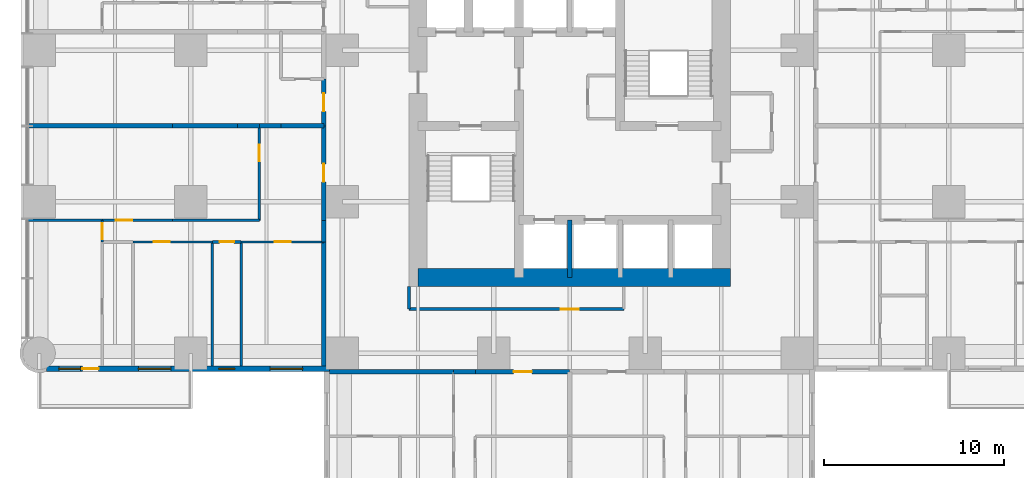
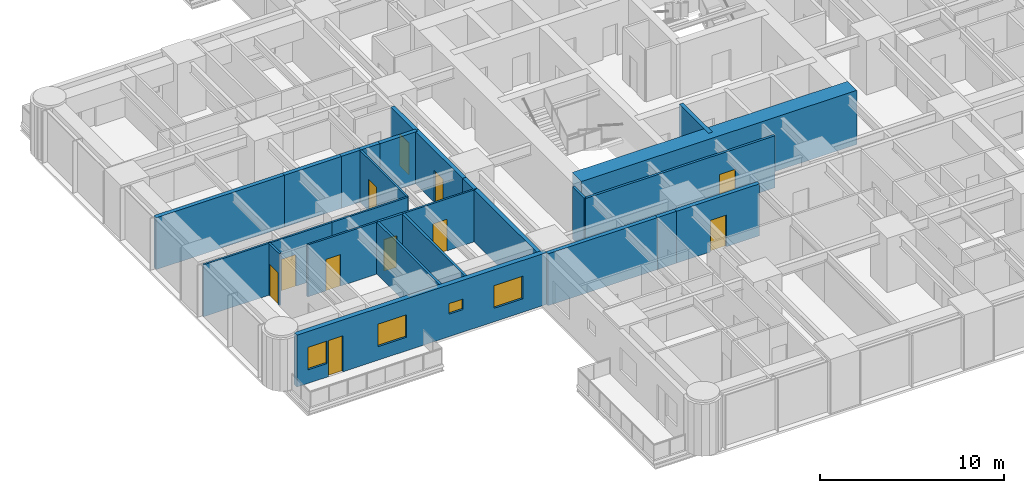
# One storey, part 8 of 17: 27 walls, 11 doors, 4 windows, 15 openings.
"""IFC4 building model written with IfcOpenShell, lengths in metres."""

from ifc_helpers import new_model, si_unit, direction, frame, frame_2d, origin, place, context, subcontext, project, spatial, rectangle, extrude, material, layer, layer_set, type_object, element, fill, save


model = new_model("IFC4")

# Units and contexts
model_context = context("Model", 3, precision=1e-05, world=origin(), true_north=direction((0.0, 1.0)))
body_context = subcontext(model_context, "Body", "Model", "MODEL_VIEW")
ifc_project = project(units=[si_unit("LENGTHUNIT", "METRE"), si_unit("AREAUNIT", "SQUARE_METRE"), si_unit("VOLUMEUNIT", "CUBIC_METRE"), si_unit("PLANEANGLEUNIT", "RADIAN"), si_unit("MASSUNIT", "GRAM", prefix="KILO")], contexts=[model_context])

# Site, building, storey
site_placement = place(None, origin())
site = spatial("IfcSite", under=ifc_project, at=site_placement, CompositionType="ELEMENT")
building_placement = place(site_placement, origin())
building = spatial("IfcBuilding", under=site, at=building_placement, Name="Torre Alcanfor", CompositionType="ELEMENT")
storey_placement = place(building_placement, frame((0.0, 0.0, 38.10009765625)))
storey = spatial("IfcBuildingStorey", under=building, at=storey_placement, Name="L08", CompositionType="ELEMENT", Elevation=38.10009765625)

# Wall, opening, door
ifc_material_1 = material(Name="Concrete block masonry, hollow blocks NMX-C-404 9 MPa", Category="masonry")
ifc_layer_1 = layer(ifc_material_1, 0.25)
ifc_layer_set_1 = layer_set([ifc_layer_1], Name="Apartment entrance wall 250 EI 60")
wall_type_1 = type_object("IfcWallType", Name="Apartment entrance wall 250 EI 60", PredefinedType="PARTITIONING", material=ifc_layer_set_1)
wall_1_placement = place(storey_placement, frame((29.39990234375, 15.77490234375, 0.0), z_axis=(0.0, 0.0, 1.0), x_axis=(-1.0, 0.0, 0.0)))
wall_1 = element("IfcWall", 1, at=wall_1_placement, inside=storey, type_object=wall_type_1, Name="Partition L08-CORR / L08-S2-ZAG", PredefinedType="PARTITIONING", context=body_context, shape_type="SweptSolid", body=[
    extrude(rectangle(XDim=5.22900390625, YDim=0.25, at=frame_2d((2.614501953125, 0.0))), origin(), (0.0, 0.0, 1.0), 3.449951171875),
])
opening_1_placement = place(wall_1_placement, frame((2.10009765625, 0.0, 0.0)))
opening_1 = element("IfcOpeningElement", 2, at=opening_1_placement, cuts=wall_1, Name="Opening D-A1", PredefinedType="OPENING", context=body_context, shape_type="SweptSolid", body=[
    extrude(rectangle(XDim=1.0, YDim=2.10009765625, at=frame_2d((0.5, 1.050048828125))), frame((0.0, 0.135009765625, 0.0), z_axis=(0.0, -1.0, 0.0), x_axis=(1.0, 0.0, 0.0)), (0.0, 0.0, 1.0), 0.27001953125),
])
ifc_material_2 = material(Name="Galvanised steel sheet ASTM A653", Category="steel")
door_type_1 = type_object("IfcDoorType", Name="Apartment entrance door FD60 1000x2100", OperationType="SINGLE_SWING_LEFT", PredefinedType="DOOR", material=ifc_material_2)
door_1_placement = place(opening_1_placement, origin())
door_1 = element("IfcDoor", 3, at=door_1_placement, inside=storey, type_object=door_type_1, Name="Apartment entrance L08-S2", OperationType="SINGLE_SWING_LEFT", OverallHeight=2.10009765625, OverallWidth=1.0, PredefinedType="DOOR", context=body_context, shape_type="SweptSolid", body=[
    extrude(rectangle(XDim=1.0, YDim=2.10009765625, at=frame_2d((0.5, 1.050048828125))), frame((0.0, 0.02490234375, 0.0), z_axis=(0.0, -1.0, 0.0), x_axis=(1.0, 0.0, 0.0)), (0.0, 0.0, 1.0), 0.050048828125),
])
fill(opening_1, door_1)

# Walls
wall_2_placement = place(storey_placement, frame((24.1708984375, 15.77490234375, 0.0), z_axis=(0.0, 0.0, 1.0), x_axis=(-1.0, 0.0, 0.0)))
element("IfcWall", 4, at=wall_2_placement, inside=storey, type_object=wall_type_1, Name="Partition L08-CORR / L08-S2-HALL", PredefinedType="PARTITIONING", context=body_context, shape_type="SweptSolid", body=[
    extrude(rectangle(XDim=1.199951171875, YDim=0.25, at=frame_2d((0.60009765625, 0.0))), origin(), (0.0, 0.0, 1.0), 3.449951171875),
])
wall_3_placement = place(storey_placement, frame((22.970947265625, 15.77490234375, 0.0), z_axis=(0.0, 0.0, 1.0), x_axis=(-1.0, 0.0, 0.0)))
element("IfcWall", 5, at=wall_3_placement, inside=storey, type_object=wall_type_1, Name="Partition L08-CORR / L08-S2-SERV", PredefinedType="PARTITIONING", context=body_context, shape_type="SweptSolid", body=[
    extrude(rectangle(XDim=6.870849609375, YDim=0.25, at=frame_2d((3.435546875, 0.0))), origin(), (0.0, 0.0, 1.0), 3.449951171875),
])

# Wall, opening, door
wall_4_placement = place(storey_placement, frame((15.77490234375, 24.1708984375, 0.0), z_axis=(0.0, 0.0, 1.0), x_axis=(0.0, 1.0, 0.0)))
wall_4 = element("IfcWall", 6, at=wall_4_placement, inside=storey, type_object=wall_type_1, Name="Partition L08-CORR / L08-W1-ZAG", PredefinedType="PARTITIONING", context=body_context, shape_type="SweptSolid", body=[
    extrude(rectangle(XDim=5.22900390625, YDim=0.25, at=frame_2d((2.614501953125, 0.0))), origin(), (0.0, 0.0, 1.0), 3.449951171875),
])
opening_2_placement = place(wall_4_placement, frame((2.12890625, 0.0, 0.0)))
opening_2 = element("IfcOpeningElement", 7, at=opening_2_placement, cuts=wall_4, Name="Opening D-A1", PredefinedType="OPENING", context=body_context, shape_type="SweptSolid", body=[
    extrude(rectangle(XDim=1.0, YDim=2.10009765625, at=frame_2d((0.5, 1.050048828125))), frame((0.0, 0.135009765625, 0.0), z_axis=(0.0, -1.0, 0.0), x_axis=(1.0, 0.0, 0.0)), (0.0, 0.0, 1.0), 0.27001953125),
])
door_2_placement = place(opening_2_placement, origin())
door_2 = element("IfcDoor", 8, at=door_2_placement, inside=storey, type_object=door_type_1, Name="Apartment entrance L08-W1", OperationType="SINGLE_SWING_RIGHT", OverallHeight=2.10009765625, OverallWidth=1.0, PredefinedType="DOOR", context=body_context, shape_type="SweptSolid", body=[
    extrude(rectangle(XDim=1.0, YDim=2.10009765625, at=frame_2d((0.5, 1.050048828125))), frame((0.0, 0.02490234375, 0.0), z_axis=(0.0, -1.0, 0.0), x_axis=(1.0, 0.0, 0.0)), (0.0, 0.0, 1.0), 0.050048828125),
])
fill(opening_2, door_2)

# Walls
wall_5_placement = place(storey_placement, frame((15.77490234375, 22.970947265625, 0.0), z_axis=(0.0, 0.0, 1.0), x_axis=(0.0, 1.0, 0.0)))
element("IfcWall", 9, at=wall_5_placement, inside=storey, type_object=wall_type_1, Name="Partition L08-CORR / L08-W1-HALL", PredefinedType="PARTITIONING", context=body_context, shape_type="SweptSolid", body=[
    extrude(rectangle(XDim=1.199951171875, YDim=0.25, at=frame_2d((0.60009765625, 0.0))), origin(), (0.0, 0.0, 1.0), 3.449951171875),
])
wall_6_placement = place(storey_placement, frame((15.77490234375, 16.10009765625, 0.0), z_axis=(0.0, 0.0, 1.0), x_axis=(0.0, 1.0, 0.0)))
element("IfcWall", 10, at=wall_6_placement, inside=storey, type_object=wall_type_1, Name="Partition L08-CORR / L08-W1-BED3", PredefinedType="PARTITIONING", context=body_context, shape_type="SweptSolid", body=[
    extrude(rectangle(XDim=6.870849609375, YDim=0.25, at=frame_2d((3.435546875, 0.0))), origin(), (0.0, 0.0, 1.0), 3.449951171875),
])

# Wall, opening, door
wall_7_placement = place(storey_placement, frame((15.77490234375, 29.39990234375, 0.0), z_axis=(0.0, 0.0, 1.0), x_axis=(0.0, 1.0, 0.0)))
wall_7 = element("IfcWall", 11, at=wall_7_placement, inside=storey, type_object=wall_type_1, Name="Partition L08-CORR / L08-W2A-FOYER", PredefinedType="PARTITIONING", context=body_context, shape_type="SweptSolid", body=[
    extrude(rectangle(XDim=2.60009765625, YDim=0.25, at=frame_2d((1.300048828125, 0.0))), origin(), (0.0, 0.0, 1.0), 3.449951171875),
])
opening_3_placement = place(wall_7_placement, frame((0.800048828125, 0.0, 0.0)))
opening_3 = element("IfcOpeningElement", 12, at=opening_3_placement, cuts=wall_7, Name="Opening D-A1", PredefinedType="OPENING", context=body_context, shape_type="SweptSolid", body=[
    extrude(rectangle(XDim=1.0, YDim=2.10009765625, at=frame_2d((0.5, 1.050048828125))), frame((0.0, 0.135009765625, 0.0), z_axis=(0.0, -1.0, 0.0), x_axis=(1.0, 0.0, 0.0)), (0.0, 0.0, 1.0), 0.27001953125),
])
door_3_placement = place(opening_3_placement, origin())
door_3 = element("IfcDoor", 13, at=door_3_placement, inside=storey, type_object=door_type_1, Name="Apartment entrance L08-W2A", OperationType="SINGLE_SWING_LEFT", OverallHeight=2.10009765625, OverallWidth=1.0, PredefinedType="DOOR", context=body_context, shape_type="SweptSolid", body=[
    extrude(rectangle(XDim=1.0, YDim=2.10009765625, at=frame_2d((0.5, 1.050048828125))), frame((0.0, 0.02490234375, 0.0), z_axis=(0.0, -1.0, 0.0), x_axis=(1.0, 0.0, 0.0)), (0.0, 0.0, 1.0), 0.050048828125),
])
fill(opening_3, door_3)

ifc_material_3 = material(Name="Gypsum board on steel studs", Category="steel")
ifc_layer_2 = layer(ifc_material_3, 0.1201171875)
ifc_layer_set_2 = layer_set([ifc_layer_2], Name="Apartment partition 120")
wall_type_2 = type_object("IfcWallType", Name="Apartment partition 120", PredefinedType="PARTITIONING", material=ifc_layer_set_2)
wall_8_placement = place(storey_placement, frame((12.199951171875, 29.39990234375, 0.0), z_axis=(0.0, 0.0, 1.0), x_axis=(0.0, -1.0, 0.0)))
wall_8 = element("IfcWall", 14, at=wall_8_placement, inside=storey, type_object=wall_type_2, Name="Partition L08-W1-ZAG / L08-W1-KITCHEN", PredefinedType="PARTITIONING", context=body_context, shape_type="SweptSolid", body=[
    extrude(rectangle(XDim=5.22900390625, YDim=0.1201171875, at=frame_2d((2.614501953125, 0.0))), origin(), (0.0, 0.0, 1.0), 3.449951171875),
])
opening_4_placement = place(wall_8_placement, frame((1.050048828125, 0.0, 0.0)))
opening_4 = element("IfcOpeningElement", 15, at=opening_4_placement, cuts=wall_8, Name="Opening D-R1", PredefinedType="OPENING", context=body_context, shape_type="SweptSolid", body=[
    extrude(rectangle(XDim=0.89990234375, YDim=2.10009765625, at=frame_2d((0.449951171875, 1.050048828125))), frame((0.0, 0.070068359375, 0.0), z_axis=(0.0, -1.0, 0.0), x_axis=(1.0, 0.0, 0.0)), (0.0, 0.0, 1.0), 0.14013671875),
])
ifc_material_4 = material(Name="Timber", Category="wood")
door_type_2 = type_object("IfcDoorType", Name="Internal door 900x2100", OperationType="SINGLE_SWING_LEFT", PredefinedType="DOOR", material=ifc_material_4)
door_4_placement = place(opening_4_placement, frame((0.89990234375, 0.0, 0.0), z_axis=(0.0, 0.0, 1.0), x_axis=(-1.0, 0.0, 0.0)))
door_4 = element("IfcDoor", 16, at=door_4_placement, inside=storey, type_object=door_type_2, Name="Door L08-W1 kitchen", OperationType="SINGLE_SWING_RIGHT", OverallHeight=2.10009765625, OverallWidth=0.89990234375, PredefinedType="DOOR", context=body_context, shape_type="SweptSolid", body=[
    extrude(rectangle(XDim=0.89990234375, YDim=2.10009765625, at=frame_2d((0.449951171875, 1.050048828125))), frame((0.0, 0.025146484375, 0.0), z_axis=(0.0, -1.0, 0.0), x_axis=(1.0, 0.0, 0.0)), (0.0, 0.0, 1.0), 0.050048828125),
])
fill(opening_4, door_4)

# Wall
wall_9_placement = place(storey_placement, frame((7.39990234375, 24.1708984375, 0.0), z_axis=(0.0, 0.0, 1.0), x_axis=(1.0, 0.0, 0.0)))
element("IfcWall", 17, at=wall_9_placement, inside=storey, type_object=wall_type_2, Name="Partition L08-W1-KITCHEN / L08-W1-HALL", PredefinedType="PARTITIONING", context=body_context, shape_type="SweptSolid", body=[
    extrude(rectangle(XDim=4.800048828125, YDim=0.1201171875, at=frame_2d((2.39990234375, 0.0))), origin(), (0.0, 0.0, 1.0), 3.449951171875),
])

# Wall, opening, door
wall_10_placement = place(storey_placement, frame((3.5, 24.1708984375, 0.0), z_axis=(0.0, 0.0, 1.0), x_axis=(1.0, 0.0, 0.0)))
wall_10 = element("IfcWall", 18, at=wall_10_placement, inside=storey, type_object=wall_type_2, Name="Partition L08-W1-LIVING / L08-W1-HALL", PredefinedType="PARTITIONING", context=body_context, shape_type="SweptSolid", body=[
    extrude(rectangle(XDim=3.89990234375, YDim=0.1201171875, at=frame_2d((1.949951171875, 0.0))), origin(), (0.0, 0.0, 1.0), 3.449951171875),
])
opening_5_placement = place(wall_10_placement, frame((0.75, 0.0, 0.0)))
opening_5 = element("IfcOpeningElement", 19, at=opening_5_placement, cuts=wall_10, Name="Opening D-R1", PredefinedType="OPENING", context=body_context, shape_type="SweptSolid", body=[
    extrude(rectangle(XDim=0.89990234375, YDim=2.10009765625, at=frame_2d((0.449951171875, 1.050048828125))), frame((0.0, 0.070068359375, 0.0), z_axis=(0.0, -1.0, 0.0), x_axis=(1.0, 0.0, 0.0)), (0.0, 0.0, 1.0), 0.14013671875),
])
door_5_placement = place(opening_5_placement, origin())
door_5 = element("IfcDoor", 20, at=door_5_placement, inside=storey, type_object=door_type_2, Name="Door L08-W1 living", OperationType="SINGLE_SWING_RIGHT", OverallHeight=2.10009765625, OverallWidth=0.89990234375, PredefinedType="DOOR", context=body_context, shape_type="SweptSolid", body=[
    extrude(rectangle(XDim=0.89990234375, YDim=2.10009765625, at=frame_2d((0.449951171875, 1.050048828125))), frame((0.0, 0.02490234375, 0.0), z_axis=(0.0, -1.0, 0.0), x_axis=(1.0, 0.0, 0.0)), (0.0, 0.0, 1.0), 0.050048828125),
])
fill(opening_5, door_5)

# Wall
wall_11_placement = place(storey_placement, frame((-0.64990234375, 24.1708984375, 0.0), z_axis=(0.0, 0.0, 1.0), x_axis=(1.0, 0.0, 0.0)))
element("IfcWall", 21, at=wall_11_placement, inside=storey, type_object=wall_type_2, Name="Partition L08-W1-LIVING / L08-W1-MASTER", PredefinedType="PARTITIONING", context=body_context, shape_type="SweptSolid", body=[
    extrude(rectangle(XDim=4.14990234375, YDim=0.1201171875, at=frame_2d((2.074951171875, 0.0))), origin(), (0.0, 0.0, 1.0), 3.449951171875),
])

# Wall, opening, door
wall_12_placement = place(storey_placement, frame((11.199951171875, 22.970947265625, 0.0), z_axis=(0.0, 0.0, 1.0), x_axis=(1.0, 0.0, 0.0)))
wall_12 = element("IfcWall", 22, at=wall_12_placement, inside=storey, type_object=wall_type_2, Name="Partition L08-W1-HALL / L08-W1-BED3", PredefinedType="PARTITIONING", context=body_context, shape_type="SweptSolid", body=[
    extrude(rectangle(XDim=4.574951171875, YDim=0.1201171875, at=frame_2d((2.28759765625, 0.0))), origin(), (0.0, 0.0, 1.0), 3.449951171875),
])
opening_6_placement = place(wall_12_placement, frame((1.85009765625, 0.0, 0.0)))
opening_6 = element("IfcOpeningElement", 23, at=opening_6_placement, cuts=wall_12, Name="Opening D-R1", PredefinedType="OPENING", context=body_context, shape_type="SweptSolid", body=[
    extrude(rectangle(XDim=0.89990234375, YDim=2.10009765625, at=frame_2d((0.449951171875, 1.050048828125))), frame((0.0, 0.070068359375, 0.0), z_axis=(0.0, -1.0, 0.0), x_axis=(1.0, 0.0, 0.0)), (0.0, 0.0, 1.0), 0.14013671875),
])
door_6_placement = place(opening_6_placement, frame((0.89990234375, 0.0, 0.0), z_axis=(0.0, 0.0, 1.0), x_axis=(-1.0, 0.0, 0.0)))
door_6 = element("IfcDoor", 24, at=door_6_placement, inside=storey, type_object=door_type_2, Name="Door L08-W1 bed3", OperationType="SINGLE_SWING_LEFT", OverallHeight=2.10009765625, OverallWidth=0.89990234375, PredefinedType="DOOR", context=body_context, shape_type="SweptSolid", body=[
    extrude(rectangle(XDim=0.89990234375, YDim=2.10009765625, at=frame_2d((0.449951171875, 1.050048828125))), frame((0.0, 0.025146484375, 0.0), z_axis=(0.0, -1.0, 0.0), x_axis=(1.0, 0.0, 0.0)), (0.0, 0.0, 1.0), 0.050048828125),
])
fill(opening_6, door_6)

wall_13_placement = place(storey_placement, frame((5.199951171875, 22.970947265625, 0.0), z_axis=(0.0, 0.0, 1.0), x_axis=(1.0, 0.0, 0.0)))
wall_13 = element("IfcWall", 25, at=wall_13_placement, inside=storey, type_object=wall_type_2, Name="Partition L08-W1-HALL / L08-W1-BED2", PredefinedType="PARTITIONING", context=body_context, shape_type="SweptSolid", body=[
    extrude(rectangle(XDim=4.400146484375, YDim=0.1201171875, at=frame_2d((2.2001953125, 0.0))), origin(), (0.0, 0.0, 1.0), 3.449951171875),
])
opening_7_placement = place(wall_13_placement, frame((1.14990234375, 0.0, 0.0)))
opening_7 = element("IfcOpeningElement", 26, at=opening_7_placement, cuts=wall_13, Name="Opening D-R1", PredefinedType="OPENING", context=body_context, shape_type="SweptSolid", body=[
    extrude(rectangle(XDim=0.89990234375, YDim=2.10009765625, at=frame_2d((0.449951171875, 1.050048828125))), frame((0.0, 0.070068359375, 0.0), z_axis=(0.0, -1.0, 0.0), x_axis=(1.0, 0.0, 0.0)), (0.0, 0.0, 1.0), 0.14013671875),
])
door_7_placement = place(opening_7_placement, frame((0.89990234375, 0.0, 0.0), z_axis=(0.0, 0.0, 1.0), x_axis=(-1.0, 0.0, 0.0)))
door_7 = element("IfcDoor", 27, at=door_7_placement, inside=storey, type_object=door_type_2, Name="Door L08-W1 bed2", OperationType="SINGLE_SWING_RIGHT", OverallHeight=2.10009765625, OverallWidth=0.89990234375, PredefinedType="DOOR", context=body_context, shape_type="SweptSolid", body=[
    extrude(rectangle(XDim=0.89990234375, YDim=2.10009765625, at=frame_2d((0.449951171875, 1.050048828125))), frame((0.0, 0.025146484375, 0.0), z_axis=(0.0, -1.0, 0.0), x_axis=(1.0, 0.0, 0.0)), (0.0, 0.0, 1.0), 0.050048828125),
])
fill(opening_7, door_7)

wall_14_placement = place(storey_placement, frame((3.5, 24.1708984375, 0.0), z_axis=(0.0, 0.0, 1.0), x_axis=(0.0, -1.0, 0.0)))
wall_14 = element("IfcWall", 28, at=wall_14_placement, inside=storey, type_object=wall_type_2, Name="Partition L08-W1-HALL / L08-W1-MASTER", PredefinedType="PARTITIONING", context=body_context, shape_type="SweptSolid", body=[
    extrude(rectangle(XDim=1.199951171875, YDim=0.1201171875, at=frame_2d((0.60009765625, 0.0))), origin(), (0.0, 0.0, 1.0), 3.449951171875),
])
opening_8_placement = place(wall_14_placement, frame((0.15087890625, 0.0, 0.0)))
opening_8 = element("IfcOpeningElement", 29, at=opening_8_placement, cuts=wall_14, Name="Opening D-R1", PredefinedType="OPENING", context=body_context, shape_type="SweptSolid", body=[
    extrude(rectangle(XDim=0.89990234375, YDim=2.10009765625, at=frame_2d((0.449951171875, 1.050048828125))), frame((0.0, 0.070068359375, 0.0), z_axis=(0.0, -1.0, 0.0), x_axis=(1.0, 0.0, 0.0)), (0.0, 0.0, 1.0), 0.14013671875),
])
door_8_placement = place(opening_8_placement, frame((0.89990234375, 0.0, 0.0), z_axis=(0.0, 0.0, 1.0), x_axis=(-1.0, 0.0, 0.0)))
door_8 = element("IfcDoor", 30, at=door_8_placement, inside=storey, type_object=door_type_2, Name="Door L08-W1 master", OperationType="SINGLE_SWING_RIGHT", OverallHeight=2.10009765625, OverallWidth=0.89990234375, PredefinedType="DOOR", context=body_context, shape_type="SweptSolid", body=[
    extrude(rectangle(XDim=0.89990234375, YDim=2.10009765625, at=frame_2d((0.449951171875, 1.050048828125))), frame((0.0, 0.025146484375, 0.0), z_axis=(0.0, -1.0, 0.0), x_axis=(1.0, 0.0, 0.0)), (0.0, 0.0, 1.0), 0.050048828125),
])
fill(opening_8, door_8)

# Walls
ifc_material_5 = material(Name="Concrete f'c 70 MPa", Category="concrete")
ifc_layer_3 = layer(ifc_material_5, 0.25)
ifc_layer_set_3 = layer_set([ifc_layer_3], Name="Core shaft wall 250 f'c70")
wall_type_3 = type_object("IfcWallType", Name="Core shaft wall 250 f'c70", PredefinedType="SHEAR", material=ifc_layer_set_3)
wall_15_placement = place(storey_placement, frame((29.39990234375, 21.0, 0.0), z_axis=(0.0, 0.0, 1.0), x_axis=(0.0, 1.0, 0.0)))
element("IfcWall", 31, at=wall_15_placement, inside=storey, type_object=wall_type_3, Name="Core wall X294S L08", PredefinedType="SHEAR", context=body_context, shape_type="SweptSolid", body=[
    extrude(rectangle(XDim=3.199951171875, YDim=0.25, at=frame_2d((1.60009765625, 0.0))), origin(), (0.0, 0.0, 1.0), 3.599853515625),
])
ifc_material_6 = material(Name="Concrete f'c 70 MPa", Category="concrete")
ifc_layer_4 = layer(ifc_material_6, 1.0)
ifc_layer_set_4 = layer_set([ifc_layer_4], Name="Core wall 1000 f'c70")
wall_type_4 = type_object("IfcWallType", Name="Core wall 1000 f'c70", PredefinedType="SHEAR", material=ifc_layer_set_4)
wall_16_placement = place(storey_placement, frame((21.0, 21.0, 0.0), z_axis=(0.0, 0.0, 1.0), x_axis=(1.0, 0.0, 0.0)))
element("IfcWall", 32, at=wall_16_placement, inside=storey, type_object=wall_type_4, Name="Core wall OUT-S L08", PredefinedType="SHEAR", context=body_context, shape_type="SweptSolid", body=[
    extrude(rectangle(XDim=17.300048828125, YDim=1.0, at=frame_2d((8.64990234375, 0.0))), origin(), (0.0, 0.0, 1.0), 3.599853515625),
])

# Wall, openings, door, windows
ifc_material_7 = material(Name="Limestone cladding", Category="masonry")
ifc_layer_5 = layer(ifc_material_7, 0.0400390625, Name="Facing")
ifc_material_8 = material(Name="Ventilated air cavity")
ifc_layer_6 = layer(ifc_material_8, 0.02001953125, ventilated=True, Name="Ventilated joint")
ifc_material_9 = material(Name="Mineral wool insulation", Category="insulation")
ifc_layer_7 = layer(ifc_material_9, 0.10009765625, Name="Insulation")
ifc_material_10 = material(Name="Concrete f'c 35 MPa", Category="concrete")
ifc_layer_8 = layer(ifc_material_10, 0.139892578125, Name="Backing")
ifc_layer_set_5 = layer_set([ifc_layer_5, ifc_layer_6, ifc_layer_7, ifc_layer_8], Name="External wall stone-clad 300")
wall_type_5 = type_object("IfcWallType", Name="External wall stone-clad 300", PredefinedType="SOLIDWALL", material=ifc_layer_set_5)
wall_17_placement = place(storey_placement, frame((0.39990234375, 15.949951171875, 0.0), z_axis=(0.0, 0.0, 1.0), x_axis=(1.0, 0.0, 0.0)))
wall_17 = element("IfcWall", 33, at=wall_17_placement, inside=storey, type_object=wall_type_5, Name="External wall L08 3", PredefinedType="SOLIDWALL", context=body_context, shape_type="SweptSolid", body=[
    extrude(rectangle(XDim=15.7001953125, YDim=0.300048828125, at=frame_2d((7.85009765625, 0.0))), origin(), (0.0, 0.0, 1.0), 3.449951171875),
])
opening_9_placement = place(wall_17_placement, frame((12.39990234375, 0.0, 0.89990234375)))
opening_9 = element("IfcOpeningElement", 34, at=opening_9_placement, cuts=wall_17, Name="Opening W2", PredefinedType="OPENING", context=body_context, shape_type="SweptSolid", body=[
    extrude(rectangle(XDim=1.800048828125, YDim=1.5, at=frame_2d((0.89990234375, 0.75))), frame((0.0, 0.159912109375, 0.0), z_axis=(0.0, -1.0, 0.0), x_axis=(1.0, 0.0, 0.0)), (0.0, 0.0, 1.0), 0.320068359375),
])
opening_10_placement = place(wall_17_placement, frame((9.550048828125, 0.0, 1.5)))
opening_10 = element("IfcOpeningElement", 35, at=opening_10_placement, cuts=wall_17, Name="Opening W3", PredefinedType="OPENING", context=body_context, shape_type="SweptSolid", body=[
    extrude(rectangle(XDim=0.89990234375, YDim=0.699951171875, at=frame_2d((0.449951171875, 0.35009765625))), frame((0.0, 0.159912109375, 0.0), z_axis=(0.0, -1.0, 0.0), x_axis=(1.0, 0.0, 0.0)), (0.0, 0.0, 1.0), 0.320068359375),
])
opening_11_placement = place(wall_17_placement, frame((5.10009765625, 0.0, 0.89990234375)))
opening_11 = element("IfcOpeningElement", 36, at=opening_11_placement, cuts=wall_17, Name="Opening W2", PredefinedType="OPENING", context=body_context, shape_type="SweptSolid", body=[
    extrude(rectangle(XDim=1.800048828125, YDim=1.5, at=frame_2d((0.89990234375, 0.75))), frame((0.0, 0.159912109375, 0.0), z_axis=(0.0, -1.0, 0.0), x_axis=(1.0, 0.0, 0.0)), (0.0, 0.0, 1.0), 0.320068359375),
])
opening_12_placement = place(wall_17_placement, frame((2.0, 0.0, 0.0)))
opening_12 = element("IfcOpeningElement", 37, at=opening_12_placement, cuts=wall_17, Name="Opening D-B1", PredefinedType="OPENING", context=body_context, shape_type="SweptSolid", body=[
    extrude(rectangle(XDim=0.89990234375, YDim=2.39990234375, at=frame_2d((0.449951171875, 1.199951171875))), frame((0.0, 0.159912109375, 0.0), z_axis=(0.0, -1.0, 0.0), x_axis=(1.0, 0.0, 0.0)), (0.0, 0.0, 1.0), 0.320068359375),
])
opening_13_placement = place(wall_17_placement, frame((0.699951171875, 0.0, 0.89990234375)))
opening_13 = element("IfcOpeningElement", 38, at=opening_13_placement, cuts=wall_17, Name="Opening W4", PredefinedType="OPENING", context=body_context, shape_type="SweptSolid", body=[
    extrude(rectangle(XDim=1.199951171875, YDim=1.5, at=frame_2d((0.60009765625, 0.75))), frame((0.0, 0.159912109375, 0.0), z_axis=(0.0, -1.0, 0.0), x_axis=(1.0, 0.0, 0.0)), (0.0, 0.0, 1.0), 0.320068359375),
])
ifc_material_11 = material(Name="Aluminium and glass", Category="aluminium")
door_type_3 = type_object("IfcDoorType", Name="Balcony door glazed 900x2400", OperationType="SINGLE_SWING_LEFT", PredefinedType="DOOR", material=ifc_material_11)
door_9_placement = place(opening_12_placement, origin())
door_9 = element("IfcDoor", 39, at=door_9_placement, inside=storey, type_object=door_type_3, Name="Balcony door L08-W1", OperationType="SINGLE_SWING_RIGHT", OverallHeight=2.39990234375, OverallWidth=0.89990234375, PredefinedType="DOOR", context=body_context, shape_type="SweptSolid", body=[
    extrude(rectangle(XDim=0.89990234375, YDim=2.39990234375, at=frame_2d((0.449951171875, 1.199951171875))), frame((0.0, 0.02490234375, 0.0), z_axis=(0.0, -1.0, 0.0), x_axis=(1.0, 0.0, 0.0)), (0.0, 0.0, 1.0), 0.050048828125),
])
fill(opening_12, door_9)
ifc_material_12 = material(Name="Aluminium frame with clear double glazing", Category="aluminium")
window_type_1 = type_object("IfcWindowType", Name="Window bathroom 900x700", PartitioningType="SINGLE_PANEL", PredefinedType="WINDOW", material=ifc_material_12)
window_1_placement = place(opening_10_placement, origin())
window_1 = element("IfcWindow", 40, at=window_1_placement, inside=storey, type_object=window_type_1, Name="Window W3 L08-W1", OverallHeight=0.699951171875, OverallWidth=0.89990234375, PartitioningType="SINGLE_PANEL", PredefinedType="WINDOW", context=body_context, shape_type="SweptSolid", body=[
    extrude(rectangle(XDim=0.89990234375, YDim=0.699951171875, at=frame_2d((0.449951171875, 0.35009765625))), frame((0.0, 0.030029296875, 0.0), z_axis=(0.0, -1.0, 0.0), x_axis=(1.0, 0.0, 0.0)), (0.0, 0.0, 1.0), 0.06005859375),
])
fill(opening_10, window_1)
ifc_material_13 = material(Name="Aluminium frame with clear double glazing", Category="aluminium")
window_type_2 = type_object("IfcWindowType", Name="Window bedroom 1200x1500", PartitioningType="SINGLE_PANEL", PredefinedType="WINDOW", material=ifc_material_13)
window_2_placement = place(opening_13_placement, origin())
window_2 = element("IfcWindow", 41, at=window_2_placement, inside=storey, type_object=window_type_2, Name="Window W4 L08-W1", OverallHeight=1.5, OverallWidth=1.199951171875, PartitioningType="SINGLE_PANEL", PredefinedType="WINDOW", context=body_context, shape_type="SweptSolid", body=[
    extrude(rectangle(XDim=1.199951171875, YDim=1.5, at=frame_2d((0.60009765625, 0.75))), frame((0.0, 0.030029296875, 0.0), z_axis=(0.0, -1.0, 0.0), x_axis=(1.0, 0.0, 0.0)), (0.0, 0.0, 1.0), 0.06005859375),
])
fill(opening_13, window_2)
ifc_material_14 = material(Name="Aluminium frame with clear double glazing", Category="aluminium")
window_type_3 = type_object("IfcWindowType", Name="Window bedroom 1800x1500", PartitioningType="SINGLE_PANEL", PredefinedType="WINDOW", material=ifc_material_14)
window_3_placement = place(opening_9_placement, origin())
window_3 = element("IfcWindow", 42, at=window_3_placement, inside=storey, type_object=window_type_3, Name="Window W2 L08-W1", OverallHeight=1.5, OverallWidth=1.800048828125, PartitioningType="SINGLE_PANEL", PredefinedType="WINDOW", context=body_context, shape_type="SweptSolid", body=[
    extrude(rectangle(XDim=1.800048828125, YDim=1.5, at=frame_2d((0.89990234375, 0.75))), frame((0.0, 0.030029296875, 0.0), z_axis=(0.0, -1.0, 0.0), x_axis=(1.0, 0.0, 0.0)), (0.0, 0.0, 1.0), 0.06005859375),
])
fill(opening_9, window_3)
window_4_placement = place(opening_11_placement, origin())
window_4 = element("IfcWindow", 43, at=window_4_placement, inside=storey, type_object=window_type_3, Name="Window W2 L08-W1", OverallHeight=1.5, OverallWidth=1.800048828125, PartitioningType="SINGLE_PANEL", PredefinedType="WINDOW", context=body_context, shape_type="SweptSolid", body=[
    extrude(rectangle(XDim=1.800048828125, YDim=1.5, at=frame_2d((0.89990234375, 0.75))), frame((0.0, 0.030029296875, 0.0), z_axis=(0.0, -1.0, 0.0), x_axis=(1.0, 0.0, 0.0)), (0.0, 0.0, 1.0), 0.06005859375),
])
fill(opening_11, window_4)

# Walls
ifc_material_15 = material(Name="Concrete block masonry, hollow blocks NMX-C-404 9 MPa", Category="masonry")
ifc_layer_9 = layer(ifc_material_15, 0.25)
ifc_layer_set_6 = layer_set([ifc_layer_9], Name="Party wall 250 EI 60")
wall_type_6 = type_object("IfcWallType", Name="Party wall 250 EI 60", PredefinedType="PARTITIONING", material=ifc_layer_set_6)
wall_18_placement = place(storey_placement, frame((15.77490234375, 29.39990234375, 0.0), z_axis=(0.0, 0.0, 1.0), x_axis=(-1.0, 0.0, 0.0)))
element("IfcWall", 44, at=wall_18_placement, inside=storey, type_object=wall_type_6, Name="Partition L08-W1-ZAG / L08-W2A-FOYER", PredefinedType="PARTITIONING", context=body_context, shape_type="SweptSolid", body=[
    extrude(rectangle(XDim=2.375, YDim=0.25, at=frame_2d((1.1875, 0.0))), origin(), (0.0, 0.0, 1.0), 3.449951171875),
])
for number, where, z_axis, x_axis, name in (
    (45, (13.39990234375, 29.39990234375, 0.0), (0.0, 0.0, 1.0), (-1.0, 0.0, 0.0), "Partition L08-W1-ZAG / L08-W2A-KITCHEN"),
    (46, (12.199951171875, 29.39990234375, 0.0), (0.0, 0.0, 1.0), (-1.0, 0.0, 0.0), "Partition L08-W1-KITCHEN / L08-W2A-KITCHEN"),
):
    element("IfcWall", number, at=place(storey_placement, frame(where, z_axis=z_axis, x_axis=x_axis)), inside=storey, type_object=wall_type_6, Name=name, PredefinedType="PARTITIONING", context=body_context, shape_type="SweptSolid", body=[
        extrude(rectangle(XDim=1.199951171875, YDim=0.25, at=frame_2d((0.60009765625, 0.0))), origin(), (0.0, 0.0, 1.0), 3.449951171875),
    ])
wall_19_placement = place(storey_placement, frame((11.0, 29.39990234375, 0.0), z_axis=(0.0, 0.0, 1.0), x_axis=(-1.0, 0.0, 0.0)))
element("IfcWall", 47, at=wall_19_placement, inside=storey, type_object=wall_type_6, Name="Partition L08-W1-KITCHEN / L08-W2A-STUDIO", PredefinedType="PARTITIONING", context=body_context, shape_type="SweptSolid", body=[
    extrude(rectangle(XDim=3.60009765625, YDim=0.25, at=frame_2d((1.800048828125, 0.0))), origin(), (0.0, 0.0, 1.0), 3.449951171875),
])
wall_20_placement = place(storey_placement, frame((7.39990234375, 29.39990234375, 0.0), z_axis=(0.0, 0.0, 1.0), x_axis=(-1.0, 0.0, 0.0)))
element("IfcWall", 48, at=wall_20_placement, inside=storey, type_object=wall_type_6, Name="Partition L08-W1-LIVING / L08-W2A-STUDIO", PredefinedType="PARTITIONING", context=body_context, shape_type="SweptSolid", body=[
    extrude(rectangle(XDim=8.0498046875, YDim=0.25, at=frame_2d((4.02490234375, 0.0))), origin(), (0.0, 0.0, 1.0), 3.449951171875),
])
ifc_material_16 = material(Name="Concrete block masonry, hollow blocks NMX-C-404 9 MPa", Category="masonry")
ifc_layer_10 = layer(ifc_material_16, 0.14990234375)
ifc_layer_set_7 = layer_set([ifc_layer_10], Name="Residents' room partition 150")
wall_type_7 = type_object("IfcWallType", Name="Residents' room partition 150", PredefinedType="PARTITIONING", material=ifc_layer_set_7)
wall_21_placement = place(storey_placement, frame((20.5, 20.5, 0.0), z_axis=(0.0, 0.0, 1.0), x_axis=(0.0, -1.0, 0.0)))
element("IfcWall", 49, at=wall_21_placement, inside=storey, type_object=wall_type_7, Name="Partition L08-CORR / L08-G04", PredefinedType="PARTITIONING", context=body_context, shape_type="SweptSolid", body=[
    extrude(rectangle(XDim=1.25, YDim=0.14990234375, at=frame_2d((0.625, 0.0))), origin(), (0.0, 0.0, 1.0), 3.449951171875),
])

# Wall, opening, door
wall_22_placement = place(storey_placement, frame((20.5, 19.25, 0.0), z_axis=(0.0, 0.0, 1.0), x_axis=(1.0, 0.0, 0.0)))
wall_22 = element("IfcWall", 50, at=wall_22_placement, inside=storey, type_object=wall_type_7, Name="Partition L08-CORR / L08-G04", PredefinedType="PARTITIONING", context=body_context, shape_type="SweptSolid", body=[
    extrude(rectangle(XDim=11.89990234375, YDim=0.14990234375, at=frame_2d((5.949951171875, 0.0))), origin(), (0.0, 0.0, 1.0), 3.449951171875),
])
opening_14_placement = place(wall_22_placement, frame((8.39990234375, 0.0, 0.0)))
opening_14 = element("IfcOpeningElement", 51, at=opening_14_placement, cuts=wall_22, Name="Opening D-M1", PredefinedType="OPENING", context=body_context, shape_type="SweptSolid", body=[
    extrude(rectangle(XDim=1.0, YDim=2.10009765625, at=frame_2d((0.5, 1.050048828125))), frame((0.0, 0.0849609375, 0.0), z_axis=(0.0, -1.0, 0.0), x_axis=(1.0, 0.0, 0.0)), (0.0, 0.0, 1.0), 0.169921875),
])
ifc_material_17 = material(Name="Timber", Category="wood")
door_type_4 = type_object("IfcDoorType", Name="Residents' room door 1000x2100", OperationType="SINGLE_SWING_LEFT", PredefinedType="DOOR", material=ifc_material_17)
door_10_placement = place(opening_14_placement, origin())
door_10 = element("IfcDoor", 52, at=door_10_placement, inside=storey, type_object=door_type_4, Name="Door L08-G04 residents' study room", OperationType="SINGLE_SWING_RIGHT", OverallHeight=2.10009765625, OverallWidth=1.0, PredefinedType="DOOR", context=body_context, shape_type="SweptSolid", body=[
    extrude(rectangle(XDim=1.0, YDim=2.10009765625, at=frame_2d((0.5, 1.050048828125))), frame((0.0, 0.02490234375, 0.0), z_axis=(0.0, -1.0, 0.0), x_axis=(1.0, 0.0, 0.0)), (0.0, 0.0, 1.0), 0.050048828125),
])
fill(opening_14, door_10)

ifc_material_18 = material(Name="Cement board on steel studs", Category="steel")
ifc_layer_11 = layer(ifc_material_18, 0.14990234375)
ifc_layer_set_8 = layer_set([ifc_layer_11], Name="Wet area partition 150")
wall_type_8 = type_object("IfcWallType", Name="Wet area partition 150", PredefinedType="PARTITIONING", material=ifc_layer_set_8)
wall_23_placement = place(storey_placement, frame((9.60009765625, 22.970947265625, 0.0), z_axis=(0.0, 0.0, 1.0), x_axis=(1.0, 0.0, 0.0)))
wall_23 = element("IfcWall", 53, at=wall_23_placement, inside=storey, type_object=wall_type_8, Name="Partition L08-W1-HALL / L08-W1-BATH1", PredefinedType="PARTITIONING", context=body_context, shape_type="SweptSolid", body=[
    extrude(rectangle(XDim=1.599853515625, YDim=0.14990234375, at=frame_2d((0.7998046875, 0.0))), origin(), (0.0, 0.0, 1.0), 3.449951171875),
])
opening_15_placement = place(wall_23_placement, frame((0.39990234375, 0.0, 0.0)))
opening_15 = element("IfcOpeningElement", 54, at=opening_15_placement, cuts=wall_23, Name="Opening D-R2", PredefinedType="OPENING", context=body_context, shape_type="SweptSolid", body=[
    extrude(rectangle(XDim=0.800048828125, YDim=2.10009765625, at=frame_2d((0.39990234375, 1.050048828125))), frame((0.0, 0.0849609375, 0.0), z_axis=(0.0, -1.0, 0.0), x_axis=(1.0, 0.0, 0.0)), (0.0, 0.0, 1.0), 0.169921875),
])
ifc_material_19 = material(Name="Timber", Category="wood")
door_type_5 = type_object("IfcDoorType", Name="Bathroom door 800x2100", OperationType="SINGLE_SWING_LEFT", PredefinedType="DOOR", material=ifc_material_19)
door_11_placement = place(opening_15_placement, frame((0.800048828125, 0.0, 0.0), z_axis=(0.0, 0.0, 1.0), x_axis=(-1.0, 0.0, 0.0)))
door_11 = element("IfcDoor", 55, at=door_11_placement, inside=storey, type_object=door_type_5, Name="Door L08-W1 bath1", OperationType="SINGLE_SWING_RIGHT", OverallHeight=2.10009765625, OverallWidth=0.800048828125, PredefinedType="DOOR", context=body_context, shape_type="SweptSolid", body=[
    extrude(rectangle(XDim=0.800048828125, YDim=2.10009765625, at=frame_2d((0.400146484375, 1.050048828125))), frame((0.0, 0.025146484375, 0.0), z_axis=(0.0, -1.0, 0.0), x_axis=(1.0, 0.0, 0.0)), (0.0, 0.0, 1.0), 0.050048828125),
])
fill(opening_15, door_11)

# Walls
for number, where, z_axis, x_axis, name in (
    (56, (11.199951171875, 22.970947265625, 0.0), (0.0, 0.0, 1.0), (0.0, -1.0, 0.0), "Partition L08-W1-BED3 / L08-W1-BATH1"),
    (57, (9.60009765625, 22.970947265625, 0.0), (0.0, 0.0, 1.0), (0.0, -1.0, 0.0), "Partition L08-W1-BATH1 / L08-W1-BED2"),
):
    element("IfcWall", number, at=place(storey_placement, frame(where, z_axis=z_axis, x_axis=x_axis)), inside=storey, type_object=wall_type_8, Name=name, PredefinedType="PARTITIONING", context=body_context, shape_type="SweptSolid", body=[
        extrude(rectangle(XDim=6.870849609375, YDim=0.14990234375, at=frame_2d((3.435546875, 0.0))), origin(), (0.0, 0.0, 1.0), 3.449951171875),
    ])

save(model, "model.ifc")
